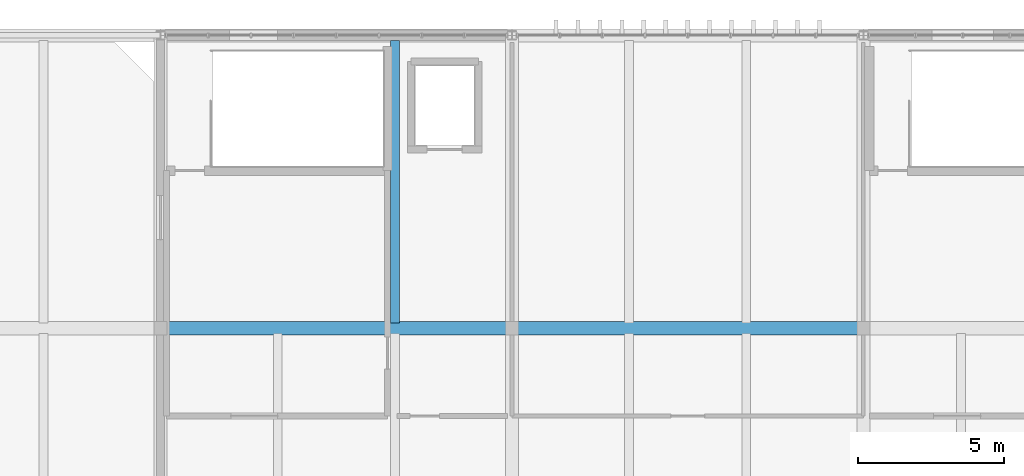
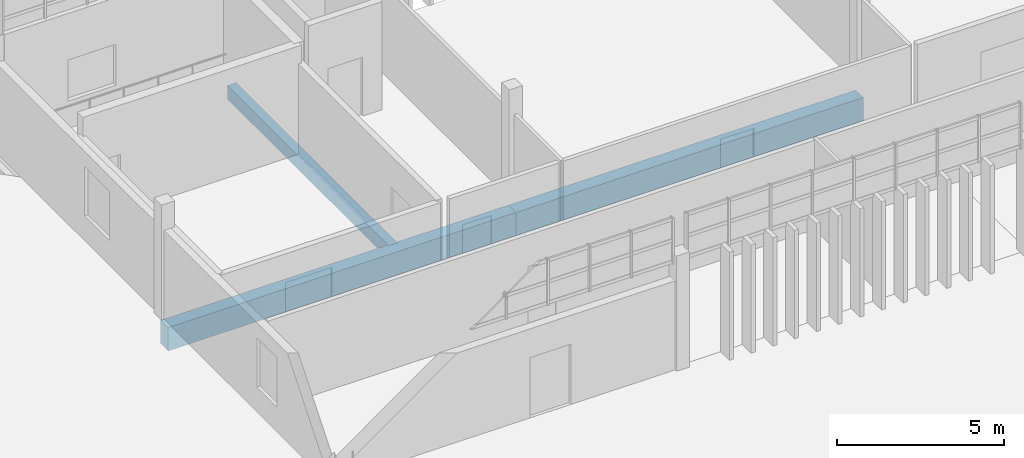
# One storey, part 11 of 36: 3 beams.
"""IFC4 building model written with IfcOpenShell, lengths in metres."""

from ifc_helpers import new_model, si_unit, direction, frame, origin, origin_2d, place, context, subcontext, project, spatial, rectangle, extrude, material, material_profile, profile_set, type_object, element, save


model = new_model("IFC4")

# Units and contexts
model_context = context("Model", 3, precision=1e-05, world=origin(), true_north=direction((0.0, 1.0)))
body_context = subcontext(model_context, "Body", "Model", "MODEL_VIEW")
ifc_project = project(units=[si_unit("LENGTHUNIT", "METRE"), si_unit("AREAUNIT", "SQUARE_METRE"), si_unit("VOLUMEUNIT", "CUBIC_METRE"), si_unit("PLANEANGLEUNIT", "RADIAN"), si_unit("MASSUNIT", "GRAM", prefix="KILO")], contexts=[model_context])

# Site, building, storey
site_placement = place(None, origin())
site = spatial("IfcSite", under=ifc_project, at=site_placement, CompositionType="ELEMENT")
building_placement = place(site_placement, origin())
building = spatial("IfcBuilding", under=site, at=building_placement, Name="Mersad Railyard Sports Hall", CompositionType="ELEMENT")
storey_placement = place(building_placement, frame((0.0, 0.0, 21.60009765625)))
storey = spatial("IfcBuildingStorey", under=building, at=storey_placement, Name="L05", CompositionType="ELEMENT", Elevation=21.60009765625)

# Beams
ifc_material = material(Name="Concrete C40/50", Category="concrete")
ifc_material_profile_1 = material_profile(ifc_material, rectangle(XDim=0.449951171875, YDim=0.85009765625, at=origin_2d()), Name="RC 450x850")
ifc_profile_set_1 = profile_set([ifc_material_profile_1], Name="Concrete C40/50")
beam_type_1 = type_object("IfcBeamType", Name="STR-BM-B02", PredefinedType="BEAM", material=ifc_profile_set_1)
for number, where, z_axis, x_axis, name in (
    (1, (67.0, 105.0, -0.775146484375), (1.0, 0.0, 0.0), (0.0, 1.0, 0.0), "Beam B02-1416"),
    (2, (79.0, 105.0, -0.775146484375), (1.0, 0.0, 0.0), (0.0, 1.0, 0.0), "Beam B02-1417"),
):
    element("IfcBeam", number, at=place(storey_placement, frame(where, z_axis=z_axis, x_axis=x_axis)), inside=storey, type_object=beam_type_1, Name=name, PredefinedType="BEAM", context=body_context, shape_type="SweptSolid", body=[
        extrude(rectangle(XDim=0.449951171875, YDim=0.85009765625, at=origin_2d()), origin(), (0.0, 0.0, 1.0), 12.0),
    ])
ifc_material_profile_2 = material_profile(ifc_material, rectangle(XDim=0.300048828125, YDim=0.5, at=origin_2d()), Name="RC 300x500")
ifc_profile_set_2 = profile_set([ifc_material_profile_2], Name="Concrete C40/50")
beam_type_2 = type_object("IfcBeamType", Name="STR-BM-LN01", PredefinedType="LINTEL", material=ifc_profile_set_2)
beam_placement = place(storey_placement, frame((75.0, 105.179931640625, -0.60009765625), z_axis=(0.0, 1.0, 0.0), x_axis=(-1.0, 0.0, 0.0)))
element("IfcBeam", 3, at=beam_placement, inside=storey, type_object=beam_type_2, Name="Beam LN01-1458", PredefinedType="LINTEL", context=body_context, shape_type="SweptSolid", body=[
    extrude(rectangle(XDim=0.300048828125, YDim=0.5, at=origin_2d()), origin(), (0.0, 0.0, 1.0), 9.64013671875),
])

save(model, "model.ifc")
